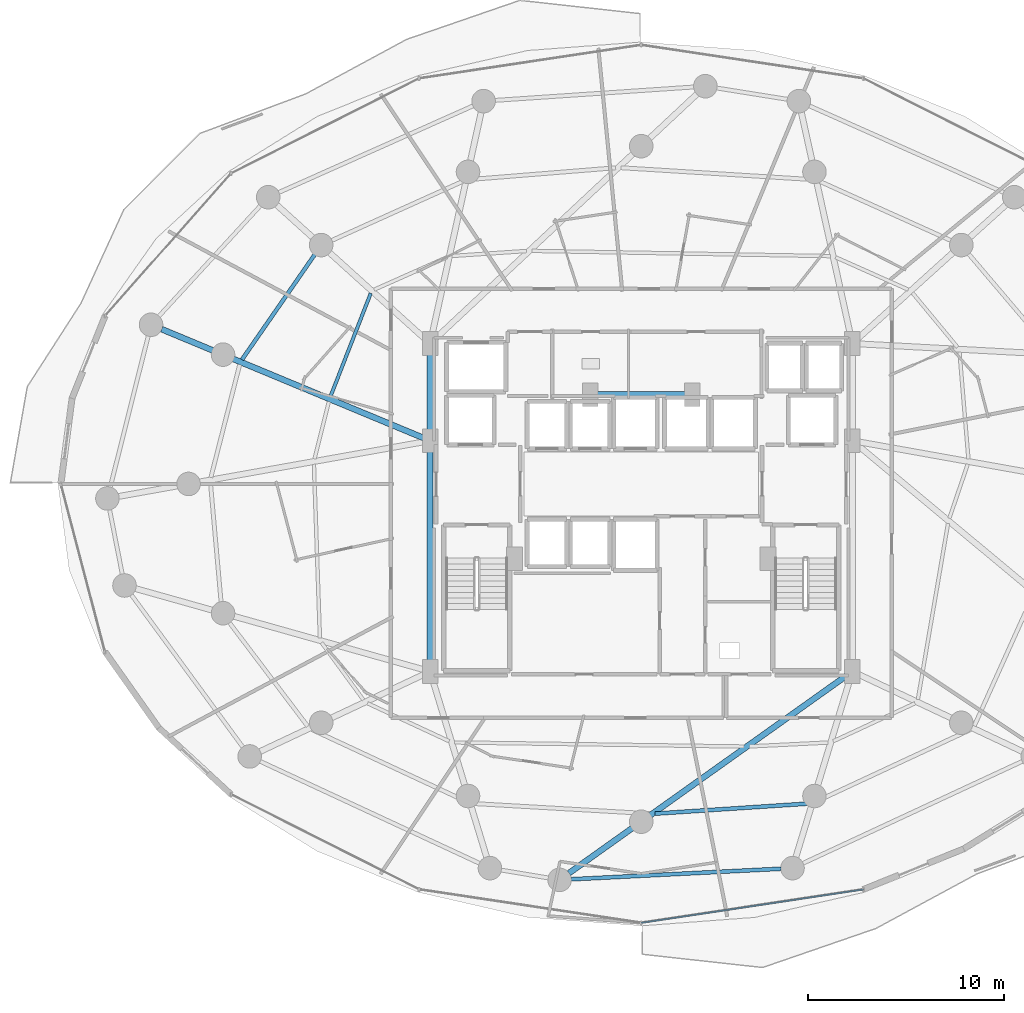
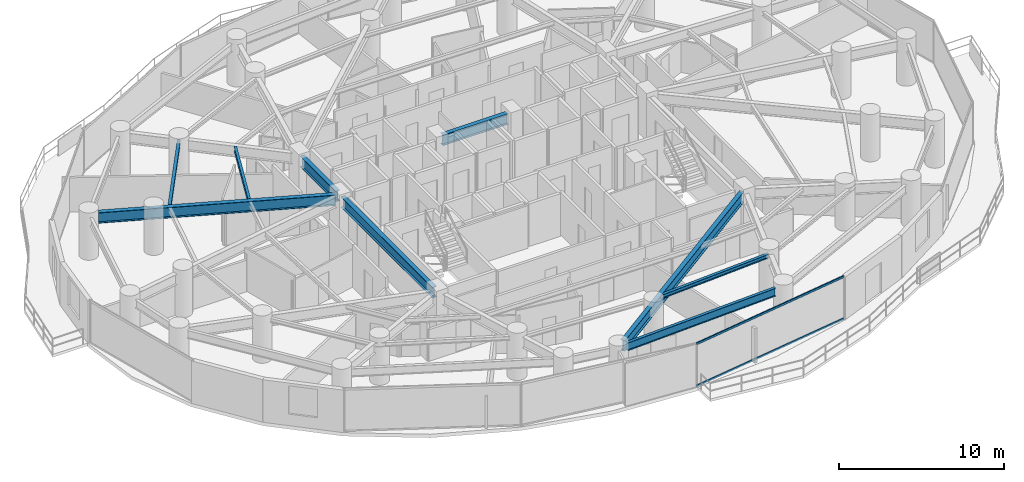
# One storey, part 11 of 34: 9 beams, 2 members, 1 element without a shape of its own.
"""IFC4 building model written with IfcOpenShell, lengths in metres."""

import ifcopenshell
import ifcopenshell.guid

model = None  # the IFC model being written
_history = None  # IfcOwnerHistory: only IFC2X3 demands one
_inside = {}  # id of a spatial element -> (the spatial element, [elements in it])
_under = {}  # id of a project, library or spatial element -> (it, [spatial elements below it])
_declared = {}  # id of a project -> (the project, [libraries it declares])
_typed = {}  # id of a type object -> (the type object, [elements of that type])
_made_of = {}  # id of a material, layer set ... -> (it, [elements and type objects made of it])


def new_model(schema):
    """Start an empty IFC model of exactly this schema.

    Asked for "IFC4X3", IfcOpenShell would pick the latest addendum, in which some entities
    have other attributes; the version numbers below select the first issue.
    IFC2X3 requires an IfcOwnerHistory on every rooted entity: one is made here for all.
    """
    global model, _history
    if schema == "IFC4X3":
        model = ifcopenshell.file(schema_version=(4, 3, 0, 0))
    else:
        model = ifcopenshell.file(schema=schema)
    _inside.clear()
    _under.clear()
    _declared.clear()
    _typed.clear()
    _made_of.clear()
    _history = None
    if model.schema == "IFC2X3":
        org = make("IfcOrganization", Name="unknown")
        user = make(
            "IfcPersonAndOrganization",
            ThePerson=make("IfcPerson", FamilyName="unknown"),
            TheOrganization=org,
        )
        app = make(
            "IfcApplication",
            ApplicationDeveloper=org,
            Version="unknown",
            ApplicationFullName="unknown",
            ApplicationIdentifier="unknown",
        )
        _history = make(
            "IfcOwnerHistory",
            OwningUser=user,
            OwningApplication=app,
            ChangeAction="ADDED",
            CreationDate=0,
        )
    return model


def make(cls, **values):
    """One entity of the class cls with the attributes given. An attribute that is None is left unset."""
    return model.create_entity(
        cls, **{name: value for name, value in values.items() if value is not None}
    )


def rooted(cls, **values):
    """An entity with a GlobalId (a new one), such as an element, a storey or a relation."""
    return make(cls, GlobalId=ifcopenshell.guid.new(), OwnerHistory=_history, **values)


def si_unit(unit_type, name, prefix=None):
    """IfcSIUnit, for example si_unit("LENGTHUNIT", "METRE", prefix="MILLI")."""
    return make("IfcSIUnit", UnitType=unit_type, Prefix=prefix, Name=name)


def assignment(units):
    """IfcUnitAssignment: the units of a project."""
    return None if units is None else make("IfcUnitAssignment", Units=units)


def point(xyz):
    """IfcCartesianPoint."""
    return None if xyz is None else make("IfcCartesianPoint", Coordinates=xyz)


def direction(xyz):
    """IfcDirection."""
    return None if xyz is None else make("IfcDirection", DirectionRatios=xyz)


def frame(location, z_axis=None, x_axis=None):
    """IfcAxis2Placement3D, a coordinate frame: its origin and axes. An axis left out is left unset."""
    return make(
        "IfcAxis2Placement3D",
        Location=point(location),
        Axis=direction(z_axis),
        RefDirection=direction(x_axis),
    )


def frame_2d(location, x_axis=None):
    """IfcAxis2Placement2D, a coordinate frame in the plane: its origin and x axis."""
    return make(
        "IfcAxis2Placement2D", Location=point(location), RefDirection=direction(x_axis)
    )


def origin():
    """The frame at (0, 0, 0) with its axes left unset."""
    return frame((0.0, 0.0, 0.0))


def origin_2d():
    """The frame at (0, 0) in the plane with its x axis left unset."""
    return frame_2d((0.0, 0.0))


def place(relative_to, where):
    """IfcLocalPlacement: puts the frame where relative to a parent placement (None: the world)."""
    return make(
        "IfcLocalPlacement", PlacementRelTo=relative_to, RelativePlacement=where
    )


def context(
    kind, dimensions, precision=None, world=None, true_north=None, identifier=None
):
    """IfcGeometricRepresentationContext, for example the 3D "Model" context."""
    return make(
        "IfcGeometricRepresentationContext",
        ContextIdentifier=identifier,
        ContextType=kind,
        CoordinateSpaceDimension=dimensions,
        Precision=precision,
        WorldCoordinateSystem=world,
        TrueNorth=true_north,
    )


def subcontext(parent, identifier, kind, view, scale=None):
    """IfcGeometricRepresentationSubContext, for example "Body" below "Model"."""
    return make(
        "IfcGeometricRepresentationSubContext",
        ContextIdentifier=identifier,
        ContextType=kind,
        ParentContext=parent,
        TargetScale=scale,
        TargetView=view,
    )


def project(units=None, contexts=None):
    """IfcProject with its units and contexts."""
    return rooted(
        "IfcProject",
        Name="project",
        RepresentationContexts=contexts,
        UnitsInContext=assignment(units),
    )


def spatial(cls, under=None, at=None, **own):
    """A site, building, storey or space (cls), placed at a placement, below another one or the project."""
    s = rooted(cls, ObjectPlacement=at, **own)
    if under is not None:
        _under.setdefault(under.id(), (under, []))[1].append(s)
    return s


def profile(cls, at=None, kind="AREA", **sizes):
    """A parametric profile (cls). Its sizes go by their IFC names, for example OverallWidth=200.0."""
    return make(cls, ProfileType=kind, Position=at, **sizes)


def hollow_rectangle(**sizes):
    """IfcRectangleHollowProfileDef."""
    return profile("IfcRectangleHollowProfileDef", **sizes)


def i_section(**sizes):
    """IfcIShapeProfileDef."""
    return profile("IfcIShapeProfileDef", **sizes)


def extrude(swept, where, along, depth):
    """IfcExtrudedAreaSolid: the profile swept, set in the frame where, extruded along a direction by depth."""
    return make(
        "IfcExtrudedAreaSolid",
        SweptArea=swept,
        Position=where,
        ExtrudedDirection=direction(along),
        Depth=depth,
    )


def shape(context_of_items, identifier, shape_type, items):
    """IfcShapeRepresentation: the items that make up one representation, for example the "Body"."""
    return make(
        "IfcShapeRepresentation",
        ContextOfItems=context_of_items,
        RepresentationIdentifier=identifier,
        RepresentationType=shape_type,
        Items=items,
    )


def material(Name=None, Category=None):
    """IfcMaterial."""
    return make("IfcMaterial", Name=Name, Category=Category)


def material_profile(
    of_material, cross_section, Name=None, Category=None, Priority=None
):
    """IfcMaterialProfile: a cross section and its material."""
    return make(
        "IfcMaterialProfile",
        Name=Name,
        Material=of_material,
        Profile=cross_section,
        Priority=Priority,
        Category=Category,
    )


def profile_set(profiles, Name=None, composite=None):
    """IfcMaterialProfileSet."""
    return make(
        "IfcMaterialProfileSet",
        Name=Name,
        MaterialProfiles=profiles,
        CompositeProfile=composite,
    )


def made_of(thing, what):
    """Note that an element or type object is made of a material, layer set ...; save() writes the relation."""
    if what is not None:
        _made_of.setdefault(what.id(), (what, []))[1].append(thing)
    return thing


def type_object(cls, material=None, **own):
    """A type object (cls), such as IfcWallType, which elements share."""
    return made_of(rooted(cls, **own), material)


def element(
    cls,
    number,
    at=None,
    inside=None,
    cuts=None,
    type_object=None,
    material=None,
    context=None,
    identifier="Body",
    shape_type=None,
    held_by="IfcProductDefinitionShape",
    body=None,
    shapes=None,
    **own,
):
    """One element of the class cls, such as IfcWall. Its Tag is "e" and its number.

    at: its placement. inside: the storey or other place that contains it. cuts: it is an
    opening in that element (IfcRelVoidsElement). A single representation is given by context,
    identifier, shape_type and body (its items); several are given by shapes. held_by: the class
    of the entity that holds the representations. save() writes the other relations.
    """
    e = rooted(cls, Tag="e%d" % number, ObjectPlacement=at, **own)
    if body is not None:
        shapes = [shape(context, identifier, shape_type, body)]
    if shapes is not None:
        e.Representation = make(held_by, Representations=shapes)
    if inside is not None:
        _inside.setdefault(inside.id(), (inside, []))[1].append(e)
    if cuts is not None:
        rooted(
            "IfcRelVoidsElement", RelatingBuildingElement=cuts, RelatedOpeningElement=e
        )
    if type_object is not None:
        _typed.setdefault(type_object.id(), (type_object, []))[1].append(e)
    return made_of(e, material)


def aggregate(whole, parts):
    """IfcRelAggregates: a whole, such as a stair, and the parts it consists of."""
    return rooted("IfcRelAggregates", RelatingObject=whole, RelatedObjects=parts)


def save(model, path):
    """Write the relations noted so far, then the file.

    IfcRelAggregates (storeys below a building ...), IfcRelContainedInSpatialStructure (elements
    in a storey), IfcRelDefinesByType, IfcRelAssociatesMaterial and IfcRelDeclares: one each for
    every whole, place, type object, material and project.
    """
    for whole, parts in _under.values():
        aggregate(whole, parts)
    for where, things in _inside.values():
        rooted(
            "IfcRelContainedInSpatialStructure",
            RelatedElements=things,
            RelatingStructure=where,
        )
    for kind, things in _typed.values():
        rooted("IfcRelDefinesByType", RelatedObjects=things, RelatingType=kind)
    for what, things in _made_of.values():
        rooted("IfcRelAssociatesMaterial", RelatedObjects=things, RelatingMaterial=what)
    for by, libraries in _declared.values():
        rooted("IfcRelDeclares", RelatingContext=by, RelatedDefinitions=libraries)
    model.write(path)


model = new_model("IFC4")

# Units and contexts
model_context = context("Model", 3, precision=1e-05, world=origin(), true_north=direction((0.0, 1.0)))
body_context = subcontext(model_context, "Body", "Model", "MODEL_VIEW")
ifc_project = project(units=[si_unit("LENGTHUNIT", "METRE"), si_unit("AREAUNIT", "SQUARE_METRE"), si_unit("VOLUMEUNIT", "CUBIC_METRE"), si_unit("PLANEANGLEUNIT", "RADIAN"), si_unit("MASSUNIT", "GRAM", prefix="KILO")], contexts=[model_context])

# Site, building, storey
site_placement = place(None, origin())
site = spatial("IfcSite", under=ifc_project, at=site_placement, CompositionType="ELEMENT")
building_placement = place(site_placement, origin())
building = spatial("IfcBuilding", under=site, at=building_placement, Name="Vorneva Point Tower", CompositionType="ELEMENT")
storey_placement = place(building_placement, frame((0.0, 0.0, 66.0)))
storey = spatial("IfcBuildingStorey", under=building, at=storey_placement, Name="L17", CompositionType="ELEMENT", Elevation=66.0)

# Beams
ifc_material_1 = material(Name="Steel S355", Category="steel")
ifc_material_profile_1 = material_profile(ifc_material_1, i_section(OverallWidth=0.300048828125, OverallDepth=0.7880859375, WebThickness=0.014404296875, FlangeThickness=0.02197265625, at=origin_2d()), Name="80Sh1")
ifc_profile_set_1 = profile_set([ifc_material_profile_1], Name="Steel S355")
beam_type_1 = type_object("IfcBeamType", Name="BM-GRD-80Sh1", PredefinedType="USERDEFINED", material=ifc_profile_set_1)
beam_1_placement = place(storey_placement, frame((13.58203125, 33.8798828125, 2.756103515625), z_axis=(0.923441131162, -0.383740116847, 0.0), x_axis=(0.383740116847, 0.923441131162, 0.0)))
element("IfcBeam", 1, at=beam_1_placement, inside=storey, type_object=beam_type_1, Name="L17 Radial Primary Girder 08", ObjectType="GIRDER", PredefinedType="USERDEFINED", context=body_context, shape_type="SweptSolid", body=[
    extrude(i_section(OverallWidth=0.300048828125, OverallDepth=0.7880859375, WebThickness=0.014404296875, FlangeThickness=0.02197265625, at=origin_2d()), origin(), (0.0, 0.0, 1.0), 14.461181640625),
])
beam_2_placement = place(storey_placement, frame((34.319580078125, 6.180908203125, 2.756103515625), z_axis=(0.814753048612, 0.579808131865, 0.0), x_axis=(-0.579808131865, 0.814753048612, 0.0)))
element("IfcBeam", 2, at=beam_2_placement, inside=storey, type_object=beam_type_1, Name="L17 Radial Primary Girder 13", ObjectType="GIRDER", PredefinedType="USERDEFINED", context=body_context, shape_type="SweptSolid", body=[
    extrude(i_section(OverallWidth=0.300048828125, OverallDepth=0.7880859375, WebThickness=0.014404296875, FlangeThickness=0.02197265625, at=origin_2d()), origin(), (0.0, 0.0, 1.0), 17.371337890625),
])
beam_3_placement = place(storey_placement, frame((27.25, 16.77001953125, 2.756103515625), z_axis=(0.0, 1.0, 0.0), x_axis=(-1.0, 0.0, 0.0)))
element("IfcBeam", 3, at=beam_3_placement, inside=storey, type_object=beam_type_1, Name="L17 Core Tie Girder CT1", ObjectType="GIRDER", PredefinedType="USERDEFINED", context=body_context, shape_type="SweptSolid", body=[
    extrude(i_section(OverallWidth=0.300048828125, OverallDepth=0.7880859375, WebThickness=0.014404296875, FlangeThickness=0.02197265625, at=origin_2d()), origin(), (0.0, 0.0, 1.0), 11.10986328125),
])
beam_4_placement = place(storey_placement, frame((27.25, 28.52001953125, 2.756103515625), z_axis=(0.0, 1.0, 0.0), x_axis=(-1.0, 0.0, 0.0)))
element("IfcBeam", 4, at=beam_4_placement, inside=storey, type_object=beam_type_1, Name="L17 Core Tie Girder CT2", ObjectType="GIRDER", PredefinedType="USERDEFINED", context=body_context, shape_type="SweptSolid", body=[
    extrude(i_section(OverallWidth=0.300048828125, OverallDepth=0.7880859375, WebThickness=0.014404296875, FlangeThickness=0.02197265625, at=origin_2d()), origin(), (0.0, 0.0, 1.0), 4.31005859375),
])
beam_5_placement = place(storey_placement, frame((35.719970703125, 30.550048828125, 2.756103515625), z_axis=(1.0, 0.0, 0.0), x_axis=(0.0, 1.0, 0.0)))
element("IfcBeam", 5, at=beam_5_placement, inside=storey, type_object=beam_type_1, Name="L17 Core Tie Girder CT8", ObjectType="GIRDER", PredefinedType="USERDEFINED", context=body_context, shape_type="SweptSolid", body=[
    extrude(i_section(OverallWidth=0.300048828125, OverallDepth=0.7880859375, WebThickness=0.014404296875, FlangeThickness=0.02197265625, at=origin_2d()), origin(), (0.0, 0.0, 1.0), 4.56005859375),
])
ifc_material_profile_2 = material_profile(ifc_material_1, i_section(OverallWidth=0.199951171875, OverallDepth=0.291015625, WebThickness=0.008056640625, FlangeThickness=0.010986328125, at=origin_2d()), Name="30Sh1")
ifc_profile_set_2 = profile_set([ifc_material_profile_2], Name="Steel S355")
beam_type_2 = type_object("IfcBeamType", Name="BM-SEC-30Sh1", PredefinedType="BEAM", material=ifc_profile_set_2)
beam_6_placement = place(storey_placement, frame((21.6279296875, 38.0439453125, 3.00439453125), z_axis=(-0.569598775871, -0.821922888431, 0.0), x_axis=(0.821922888431, -0.569598775871, 0.0)))
element("IfcBeam", 6, at=beam_6_placement, inside=storey, type_object=beam_type_2, Name="L17 Secondary Floor Beam 1.07", PredefinedType="BEAM", context=body_context, shape_type="SweptSolid", body=[
    extrude(i_section(OverallWidth=0.199951171875, OverallDepth=0.291015625, WebThickness=0.008056640625, FlangeThickness=0.010986328125, at=origin_2d()), origin(), (0.0, 0.0, 1.0), 6.953857421875),
])
beam_7_placement = place(storey_placement, frame((38.703369140625, 9.21142578125, 3.00439453125), z_axis=(0.99786056086, 0.065378139167, 0.0), x_axis=(-0.065378139167, 0.99786056086, 0.0)))
element("IfcBeam", 7, at=beam_7_placement, inside=storey, type_object=beam_type_2, Name="L17 Secondary Floor Beam 1.13", PredefinedType="BEAM", context=body_context, shape_type="SweptSolid", body=[
    extrude(i_section(OverallWidth=0.199951171875, OverallDepth=0.291015625, WebThickness=0.008056640625, FlangeThickness=0.010986328125, at=origin_2d()), origin(), (0.0, 0.0, 1.0), 7.883056640625),
])
ifc_material_profile_3 = material_profile(ifc_material_1, i_section(OverallWidth=0.174072265625, OverallDepth=0.345947265625, WebThickness=0.006103515625, FlangeThickness=0.009033203125, at=origin_2d()), Name="35B1")
ifc_profile_set_3 = profile_set([ifc_material_profile_3], Name="Steel S355")
beam_type_3 = type_object("IfcBeamType", Name="BM-SEC-35B1", PredefinedType="BEAM", material=ifc_profile_set_3)
beam_8_placement = place(storey_placement, frame((24.226318359375, 35.707275390625, 2.97705078125), z_axis=(-0.363332491881, -0.931659541004, 0.0), x_axis=(0.931659541004, -0.363332491881, 0.0)))
element("IfcBeam", 8, at=beam_8_placement, inside=storey, type_object=beam_type_3, Name="L17 Secondary Floor Beam 2.07", PredefinedType="BEAM", context=body_context, shape_type="SweptSolid", body=[
    extrude(i_section(OverallWidth=0.174072265625, OverallDepth=0.345947265625, WebThickness=0.006103515625, FlangeThickness=0.009033203125, at=origin_2d()), origin(), (0.0, 0.0, 1.0), 5.6357421875),
])
ifc_material_profile_4 = material_profile(ifc_material_1, i_section(OverallWidth=0.198974609375, OverallDepth=0.595947265625, WebThickness=0.010009765625, FlangeThickness=0.014892578125, at=origin_2d()), Name="60B1")
ifc_profile_set_4 = profile_set([ifc_material_profile_4], Name="Steel S355")
beam_type_4 = type_object("IfcBeamType", Name="BM-SPN-60B1", PredefinedType="SPANDREL", material=ifc_profile_set_4)
beam_9_placement = place(storey_placement, frame((34.4248046875, 5.869140625, 2.85205078125), z_axis=(0.998742254413, 0.050138899561, 0.0), x_axis=(-0.050138899561, 0.998742254413, 0.0)))
element("IfcBeam", 9, at=beam_9_placement, inside=storey, type_object=beam_type_4, Name="L17 Perimeter Spandrel Ring Beam 13", PredefinedType="SPANDREL", context=body_context, shape_type="SweptSolid", body=[
    extrude(i_section(OverallWidth=0.198974609375, OverallDepth=0.595947265625, WebThickness=0.010009765625, FlangeThickness=0.014892578125, at=origin_2d()), origin(), (0.0, 0.0, 1.0), 10.70751953125),
])

# Curtain wall, members
ifc_material_2 = material(Name="Pale anodised aluminium", Category="aluminium")
curtain_wall_type = type_object("IfcCurtainWallType", Name="CW-HTL-SYS", PredefinedType="NOTDEFINED", material=ifc_material_2)
curtain_wall_placement = place(storey_placement, origin())
curtain_wall = element("IfcCurtainWall", 10, at=curtain_wall_placement, inside=storey, type_object=curtain_wall_type, Name="L17 Unitised Curtain Wall CW-L17-R04", PredefinedType="NOTDEFINED")
ifc_material_profile_5 = material_profile(ifc_material_2, hollow_rectangle(XDim=0.074951171875, YDim=0.14990234375, WallThickness=0.00390625, at=origin_2d()), Name="AL-TRN 150x75x4")
ifc_profile_set_5 = profile_set([ifc_material_profile_5], Name="Pale anodised aluminium")
member_type = type_object("IfcMemberType", Name="CW-TRN-150", PredefinedType="USERDEFINED", material=ifc_profile_set_5)
member_1_placement = place(storey_placement, frame((38.0, 3.64990234375, 0.02001953125), z_axis=(0.988870014575, 0.148782036131, 0.0), x_axis=(-0.148782036131, 0.988870014575, 0.0)))
member_1 = element("IfcMember", 11, at=member_1_placement, type_object=member_type, Name="CW-L17-R04 Transom 03.1", ObjectType="TRANSOM", PredefinedType="USERDEFINED", context=body_context, shape_type="SweptSolid", body=[
    extrude(hollow_rectangle(XDim=0.074951171875, YDim=0.14990234375, WallThickness=0.00390625, at=origin_2d()), origin(), (0.0, 0.0, 1.0), 11.435546875),
])
member_2_placement = place(storey_placement, frame((38.0, 3.64990234375, 3.1298828125), z_axis=(0.988870014575, 0.148782036131, 0.0), x_axis=(-0.148782036131, 0.988870014575, 0.0)))
member_2 = element("IfcMember", 12, at=member_2_placement, type_object=member_type, Name="CW-L17-R04 Transom 03.2", ObjectType="TRANSOM", PredefinedType="USERDEFINED", context=body_context, shape_type="SweptSolid", body=[
    extrude(hollow_rectangle(XDim=0.074951171875, YDim=0.14990234375, WallThickness=0.00390625, at=origin_2d()), origin(), (0.0, 0.0, 1.0), 11.435546875),
])
aggregate(curtain_wall, [member_1, member_2])

save(model, "model.ifc")
